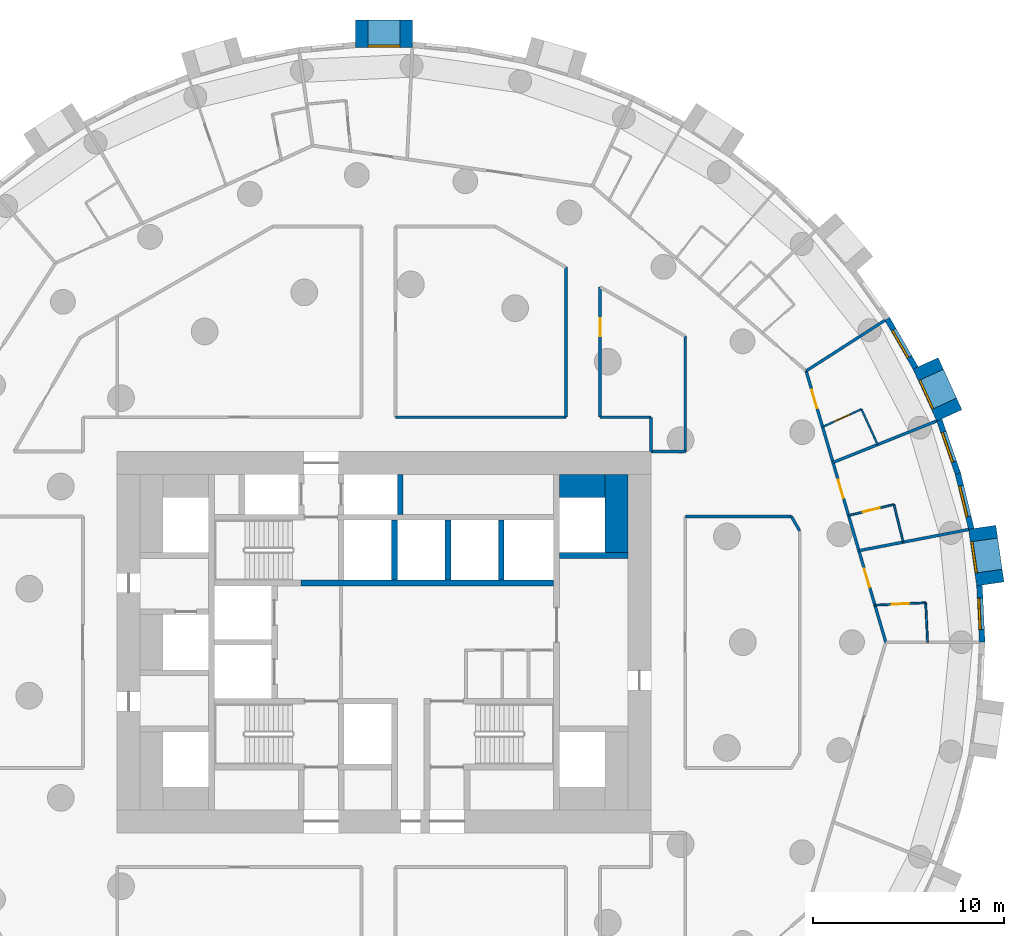
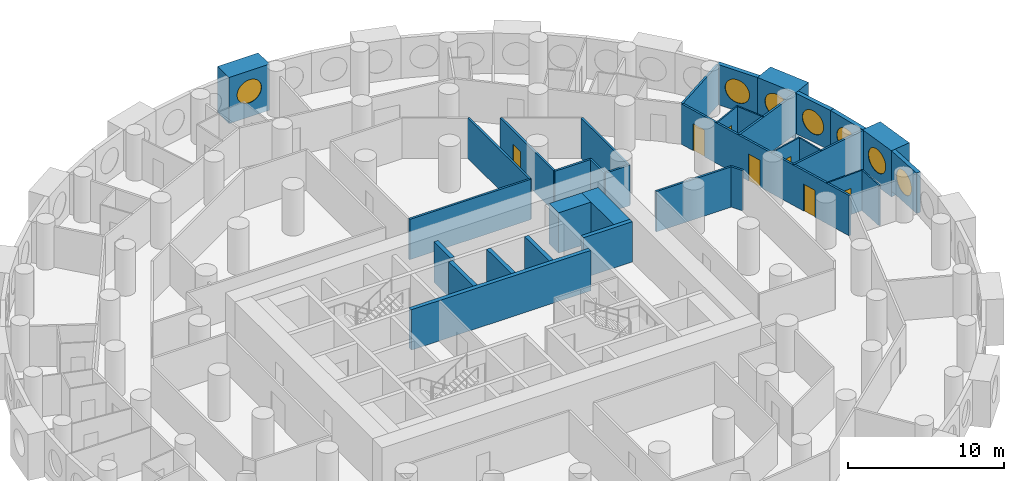
# One storey, part 9 of 12: 34 walls, 7 doors, 7 windows, 14 openings.
"""IFC4 building model written with IfcOpenShell, lengths in metres."""

from ifc_helpers import new_model, si_unit, direction, frame, frame_2d, origin, origin_2d, place, context, subcontext, project, spatial, rectangle, circle, extrude, material, layer, layer_set, type_object, element, fill, save


model = new_model("IFC4")

# Units and contexts
model_context = context("Model", 3, precision=1e-05, world=origin(), true_north=direction((0.0, 1.0)))
body_context = subcontext(model_context, "Body", "Model", "MODEL_VIEW")
ifc_project = project(units=[si_unit("LENGTHUNIT", "METRE"), si_unit("AREAUNIT", "SQUARE_METRE"), si_unit("VOLUMEUNIT", "CUBIC_METRE"), si_unit("PLANEANGLEUNIT", "RADIAN"), si_unit("MASSUNIT", "GRAM", prefix="KILO")], contexts=[model_context])

# Site, building, storey
site_placement = place(None, origin())
site = spatial("IfcSite", under=ifc_project, at=site_placement, CompositionType="ELEMENT")
building_placement = place(site_placement, origin())
building = spatial("IfcBuilding", under=site, at=building_placement, Name="Tracery Tower", CompositionType="ELEMENT")
storey_placement = place(building_placement, frame((0.0, 0.0, 111.0)))
storey = spatial("IfcBuildingStorey", under=building, at=storey_placement, Name="L28", CompositionType="ELEMENT", Elevation=111.0)

# Walls
ifc_material_1 = material(Name="Concrete C60/75", Category="concrete")
ifc_layer_1 = layer(ifc_material_1, 1.199951171875)
ifc_layer_set_1 = layer_set([ifc_layer_1], Name="Core strip wall 1200 C60")
wall_type_1 = type_object("IfcWallType", Name="Core strip wall 1200 C60", PredefinedType="SOLIDWALL", material=ifc_layer_set_1)
wall_1_placement = place(storey_placement, frame((12.199951171875, 4.699951171875, 0.0), z_axis=(0.0, 0.0, 1.0), x_axis=(0.0, 1.0, 0.0)))
element("IfcWall", 1, at=wall_1_placement, inside=storey, type_object=wall_type_1, Name="L28 wing strip +1 4.55", PredefinedType="SOLIDWALL", context=body_context, shape_type="SweptSolid", body=[
    extrude(rectangle(XDim=4.10009765625, YDim=1.199951171875, at=frame_2d((2.050048828125, 0.0))), origin(), (0.0, 0.0, 1.0), 3.14990234375),
])
wall_2_placement = place(storey_placement, frame((9.199951171875, 8.199951171875, 0.0), z_axis=(0.0, 0.0, 1.0), x_axis=(1.0, 0.0, 0.0)))
element("IfcWall", 2, at=wall_2_placement, inside=storey, type_object=wall_type_1, Name="L28 wing corner +1 +8.2", PredefinedType="SOLIDWALL", context=body_context, shape_type="SweptSolid", body=[
    extrude(rectangle(XDim=2.400146484375, YDim=1.199951171875, at=frame_2d((1.2001953125, 0.0))), origin(), (0.0, 0.0, 1.0), 3.14990234375),
])

# Wall, opening, window
ifc_material_2 = material(Name="Precast concrete C50/60", Category="concrete")
ifc_layer_2 = layer(ifc_material_2, 1.449951171875)
ifc_layer_set_2 = layer_set([ifc_layer_2], Name="Deep-set bay unit 3000 x 3600, slab edge 450")
wall_type_2 = type_object("IfcWallType", Name="Deep-set bay unit 3000 x 3600, slab edge 450", PredefinedType="ELEMENTEDWALL", material=ifc_layer_set_2)
wall_3_placement = place(storey_placement, frame((31.802490234375, 3.05712890625, -0.449951171875), z_axis=(0.0, 0.0, 1.0), x_axis=(-0.142332746704, 0.989818866872, 0.0)))
wall_3 = element("IfcWall", 3, at=wall_3_placement, inside=storey, type_object=wall_type_2, Name="Deep-set bay unit 2 at L28", PredefinedType="ELEMENTEDWALL", context=body_context, shape_type="SweptSolid", body=[
    extrude(rectangle(XDim=3.0, YDim=1.449951171875, at=frame_2d((1.5, 0.0))), origin(), (0.0, 0.0, 1.0), 3.599853515625),
])
opening_1_placement = place(wall_3_placement, frame((1.5, 0.0, 2.0)))
opening_1 = element("IfcOpeningElement", 4, at=opening_1_placement, cuts=wall_3, Name="Opening WN1", PredefinedType="OPENING", context=body_context, shape_type="SweptSolid", body=[
    extrude(circle(Radius=0.9000244140625, at=origin_2d()), frame((0.0, 0.73486328125, 0.0), z_axis=(0.0, -1.0, 0.0), x_axis=(1.0, 0.0, 0.0)), (0.0, 0.0, 1.0), 1.469970703125),
])
ifc_material_3 = material(Name="Aluminium frame with tinted double glazing", Category="aluminium")
window_type = type_object("IfcWindowType", Name="Round window 1800", PartitioningType="SINGLE_PANEL", PredefinedType="WINDOW", material=ifc_material_3)
window_1_placement = place(opening_1_placement, origin())
window_1 = element("IfcWindow", 5, at=window_1_placement, inside=storey, type_object=window_type, Name="Round window 2 at L28", OverallHeight=1.800048828125, OverallWidth=1.800048828125, PartitioningType="SINGLE_PANEL", PredefinedType="WINDOW", context=body_context, shape_type="SweptSolid", body=[
    extrude(circle(Radius=0.9000244140625, at=origin_2d()), frame((0.0, 0.69482421875, 0.0), z_axis=(0.0, -1.0, 0.0), x_axis=(1.0, 0.0, 0.0)), (0.0, 0.0, 1.0), 0.10009765625),
])
fill(opening_1, window_1)

wall_4_placement = place(storey_placement, frame((29.653076171875, 11.89306640625, -0.449951171875), z_axis=(0.0, 0.0, 1.0), x_axis=(-0.415427028395, 0.909626508012, 0.0)))
wall_4 = element("IfcWall", 6, at=wall_4_placement, inside=storey, type_object=wall_type_2, Name="Deep-set bay unit 5 at L28", PredefinedType="ELEMENTEDWALL", context=body_context, shape_type="SweptSolid", body=[
    extrude(rectangle(XDim=3.000244140625, YDim=1.449951171875, at=frame_2d((1.5, 0.0))), origin(), (0.0, 0.0, 1.0), 3.599853515625),
])
opening_2_placement = place(wall_4_placement, frame((1.5, 0.0, 2.0)))
opening_2 = element("IfcOpeningElement", 7, at=opening_2_placement, cuts=wall_4, Name="Opening WN1", PredefinedType="OPENING", context=body_context, shape_type="SweptSolid", body=[
    extrude(circle(Radius=0.9000244140625, at=origin_2d()), frame((0.0, 0.73486328125, 0.0), z_axis=(0.0, -1.0, 0.0), x_axis=(1.0, 0.0, 0.0)), (0.0, 0.0, 1.0), 1.469970703125),
])
window_2_placement = place(opening_2_placement, origin())
window_2 = element("IfcWindow", 8, at=window_2_placement, inside=storey, type_object=window_type, Name="Round window 5 at L28", OverallHeight=1.800048828125, OverallWidth=1.800048828125, PartitioningType="SINGLE_PANEL", PredefinedType="WINDOW", context=body_context, shape_type="SweptSolid", body=[
    extrude(circle(Radius=0.9000244140625, at=origin_2d()), frame((0.0, 0.69482421875, 0.0), z_axis=(0.0, -1.0, 0.0), x_axis=(1.0, 0.0, 0.0)), (0.0, 0.0, 1.0), 0.10009765625),
])
fill(opening_2, window_2)

wall_5_placement = place(storey_placement, frame((1.5, 31.913818359375, -0.449951171875), z_axis=(0.0, 0.0, 1.0), x_axis=(-1.0, 0.0, 0.0)))
wall_5 = element("IfcWall", 9, at=wall_5_placement, inside=storey, type_object=wall_type_2, Name="Deep-set bay unit 17 at L28", PredefinedType="ELEMENTEDWALL", context=body_context, shape_type="SweptSolid", body=[
    extrude(rectangle(XDim=3.0, YDim=1.449951171875, at=frame_2d((1.5, 0.0))), origin(), (0.0, 0.0, 1.0), 3.599853515625),
])
opening_3_placement = place(wall_5_placement, frame((1.5, 0.0, 2.0)))
opening_3 = element("IfcOpeningElement", 10, at=opening_3_placement, cuts=wall_5, Name="Opening WN1", PredefinedType="OPENING", context=body_context, shape_type="SweptSolid", body=[
    extrude(circle(Radius=0.9000244140625, at=origin_2d()), frame((0.0, 0.73486328125, 0.0), z_axis=(0.0, -1.0, 0.0), x_axis=(1.0, 0.0, 0.0)), (0.0, 0.0, 1.0), 1.469970703125),
])
window_3_placement = place(opening_3_placement, origin())
window_3 = element("IfcWindow", 11, at=window_3_placement, inside=storey, type_object=window_type, Name="Round window 17 at L28", OverallHeight=1.800048828125, OverallWidth=1.800048828125, PartitioningType="SINGLE_PANEL", PredefinedType="WINDOW", context=body_context, shape_type="SweptSolid", body=[
    extrude(circle(Radius=0.9000244140625, at=origin_2d()), frame((0.0, 0.69482421875, 0.0), z_axis=(0.0, -1.0, 0.0), x_axis=(1.0, 0.0, 0.0)), (0.0, 0.0, 1.0), 0.10009765625),
])
fill(opening_3, window_3)

ifc_material_4 = material(Name="Precast concrete C50/60", Category="concrete")
ifc_layer_3 = layer(ifc_material_4, 0.300048828125)
ifc_layer_set_3 = layer_set([ifc_layer_3], Name="Facade panel 3000 x 3150")
wall_type_3 = type_object("IfcWallType", Name="Facade panel 3000 x 3150", PredefinedType="SOLIDWALL", material=ifc_layer_set_3)
wall_6_placement = place(storey_placement, frame((31.37451171875, 0.0, 0.0), z_axis=(0.0, 0.0, 1.0), x_axis=(-0.047604077644, 0.998866283239, 0.0)))
wall_6 = element("IfcWall", 12, at=wall_6_placement, inside=storey, type_object=wall_type_3, Name="Facade panel 1 at L28", PredefinedType="SOLIDWALL", context=body_context, shape_type="SweptSolid", body=[
    extrude(rectangle(XDim=2.979736328125, YDim=0.300048828125, at=frame_2d((1.48974609375, 0.0))), origin(), (0.0, 0.0, 1.0), 3.14990234375),
])
opening_4_placement = place(wall_6_placement, frame((1.48974609375, 0.0, 1.5498046875)))
opening_4 = element("IfcOpeningElement", 13, at=opening_4_placement, cuts=wall_6, Name="Opening WN1", PredefinedType="OPENING", context=body_context, shape_type="SweptSolid", body=[
    extrude(circle(Radius=0.9000244140625, at=origin_2d()), frame((0.0, 0.159912109375, 0.0), z_axis=(0.0, -1.0, 0.0), x_axis=(1.0, 0.0, 0.0)), (0.0, 0.0, 1.0), 0.320068359375),
])
window_4_placement = place(opening_4_placement, origin())
window_4 = element("IfcWindow", 14, at=window_4_placement, inside=storey, type_object=window_type, Name="Round window 1 at L28", OverallHeight=1.800048828125, OverallWidth=1.800048828125, PartitioningType="SINGLE_PANEL", PredefinedType="WINDOW", context=body_context, shape_type="SweptSolid", body=[
    extrude(circle(Radius=0.9000244140625, at=origin_2d()), frame((0.0, 0.1201171875, 0.0), z_axis=(0.0, -1.0, 0.0), x_axis=(1.0, 0.0, 0.0)), (0.0, 0.0, 1.0), 0.10009765625),
])
fill(opening_4, window_4)

wall_7_placement = place(storey_placement, frame((30.805908203125, 5.943603515625, 0.0), z_axis=(0.0, 0.0, 1.0), x_axis=(-0.235743081534, 0.971815414319, 0.0)))
wall_7 = element("IfcWall", 15, at=wall_7_placement, inside=storey, type_object=wall_type_3, Name="Facade panel 3 at L28", PredefinedType="SOLIDWALL", context=body_context, shape_type="SweptSolid", body=[
    extrude(rectangle(XDim=2.9794921875, YDim=0.300048828125, at=frame_2d((1.48974609375, 0.0))), origin(), (0.0, 0.0, 1.0), 3.14990234375),
])
opening_5_placement = place(wall_7_placement, frame((1.48974609375, 0.0, 1.5498046875)))
opening_5 = element("IfcOpeningElement", 16, at=opening_5_placement, cuts=wall_7, Name="Opening WN1", PredefinedType="OPENING", context=body_context, shape_type="SweptSolid", body=[
    extrude(circle(Radius=0.9000244140625, at=origin_2d()), frame((0.0, 0.159912109375, 0.0), z_axis=(0.0, -1.0, 0.0), x_axis=(1.0, 0.0, 0.0)), (0.0, 0.0, 1.0), 0.320068359375),
])
window_5_placement = place(opening_5_placement, origin())
window_5 = element("IfcWindow", 17, at=window_5_placement, inside=storey, type_object=window_type, Name="Round window 3 at L28", OverallHeight=1.800048828125, OverallWidth=1.800048828125, PartitioningType="SINGLE_PANEL", PredefinedType="WINDOW", context=body_context, shape_type="SweptSolid", body=[
    extrude(circle(Radius=0.9000244140625, at=origin_2d()), frame((0.0, 0.1201171875, 0.0), z_axis=(0.0, -1.0, 0.0), x_axis=(1.0, 0.0, 0.0)), (0.0, 0.0, 1.0), 0.10009765625),
])
fill(opening_5, window_5)

wall_8_placement = place(storey_placement, frame((30.103515625, 8.839111328125, 0.0), z_axis=(0.0, 0.0, 1.0), x_axis=(-0.327071167136, 0.944999709856, 0.0)))
wall_8 = element("IfcWall", 18, at=wall_8_placement, inside=storey, type_object=wall_type_3, Name="Facade panel 4 at L28", PredefinedType="SOLIDWALL", context=body_context, shape_type="SweptSolid", body=[
    extrude(rectangle(XDim=2.979736328125, YDim=0.300048828125, at=frame_2d((1.48974609375, 0.0))), origin(), (0.0, 0.0, 1.0), 3.14990234375),
])
opening_6_placement = place(wall_8_placement, frame((1.48974609375, 0.0, 1.5498046875)))
opening_6 = element("IfcOpeningElement", 19, at=opening_6_placement, cuts=wall_8, Name="Opening WN1", PredefinedType="OPENING", context=body_context, shape_type="SweptSolid", body=[
    extrude(circle(Radius=0.9000244140625, at=origin_2d()), frame((0.0, 0.159912109375, 0.0), z_axis=(0.0, -1.0, 0.0), x_axis=(1.0, 0.0, 0.0)), (0.0, 0.0, 1.0), 0.320068359375),
])
window_6_placement = place(opening_6_placement, origin())
window_6 = element("IfcWindow", 20, at=window_6_placement, inside=storey, type_object=window_type, Name="Round window 4 at L28", OverallHeight=1.800048828125, OverallWidth=1.800048828125, PartitioningType="SINGLE_PANEL", PredefinedType="WINDOW", context=body_context, shape_type="SweptSolid", body=[
    extrude(circle(Radius=0.9000244140625, at=origin_2d()), frame((0.0, 0.1201171875, 0.0), z_axis=(0.0, -1.0, 0.0), x_axis=(1.0, 0.0, 0.0)), (0.0, 0.0, 1.0), 0.10009765625),
])
fill(opening_6, window_6)

wall_9_placement = place(storey_placement, frame((27.8837890625, 14.3818359375, 0.0), z_axis=(0.0, 0.0, 1.0), x_axis=(-0.500025049464, 0.866010940986, 0.0)))
wall_9 = element("IfcWall", 21, at=wall_9_placement, inside=storey, type_object=wall_type_3, Name="Facade panel 6 at L28", PredefinedType="SOLIDWALL", context=body_context, shape_type="SweptSolid", body=[
    extrude(rectangle(XDim=2.979736328125, YDim=0.300048828125, at=frame_2d((1.48974609375, 0.0))), origin(), (0.0, 0.0, 1.0), 3.14990234375),
])
opening_7_placement = place(wall_9_placement, frame((1.48974609375, 0.0, 1.5498046875)))
opening_7 = element("IfcOpeningElement", 22, at=opening_7_placement, cuts=wall_9, Name="Opening WN1", PredefinedType="OPENING", context=body_context, shape_type="SweptSolid", body=[
    extrude(circle(Radius=0.9000244140625, at=origin_2d()), frame((0.0, 0.159912109375, 0.0), z_axis=(0.0, -1.0, 0.0), x_axis=(1.0, 0.0, 0.0)), (0.0, 0.0, 1.0), 0.320068359375),
])
window_7_placement = place(opening_7_placement, origin())
window_7 = element("IfcWindow", 23, at=window_7_placement, inside=storey, type_object=window_type, Name="Round window 6 at L28", OverallHeight=1.800048828125, OverallWidth=1.800048828125, PartitioningType="SINGLE_PANEL", PredefinedType="WINDOW", context=body_context, shape_type="SweptSolid", body=[
    extrude(circle(Radius=0.9000244140625, at=origin_2d()), frame((0.0, 0.1201171875, 0.0), z_axis=(0.0, -1.0, 0.0), x_axis=(1.0, 0.0, 0.0)), (0.0, 0.0, 1.0), 0.10009765625),
])
fill(opening_7, window_7)

# Wall
ifc_material_5 = material(Name="Plasterboard on steel studs", Category="steel")
ifc_layer_4 = layer(ifc_material_5, 0.10009765625)
ifc_layer_set_4 = layer_set([ifc_layer_4], Name="Partition 100 wet wall")
wall_type_4 = type_object("IfcWallType", Name="Partition 100 wet wall", PredefinedType="PARTITIONING", material=ifc_layer_set_4)
wall_10_placement = place(storey_placement, frame((28.412109375, 2.069091796875, 0.0), z_axis=(0.0, 0.0, 1.0), x_axis=(0.047733138673, -0.998860124078, 0.0)))
element("IfcWall", 24, at=wall_10_placement, inside=storey, type_object=wall_type_4, Name="Wet wall RA8-060", PredefinedType="PARTITIONING", context=body_context, shape_type="SweptSolid", body=[
    extrude(rectangle(XDim=2.071533203125, YDim=0.10009765625, at=frame_2d((1.03564453125, 0.0))), origin(), (0.0, 0.0, 1.0), 3.14990234375),
])

# Wall, opening, door
wall_11_placement = place(storey_placement, frame((25.7490234375, 1.94189453125, 0.0), z_axis=(0.0, 0.0, 1.0), x_axis=(0.998861290624, 0.047708721344, 0.0)))
wall_11 = element("IfcWall", 25, at=wall_11_placement, inside=storey, type_object=wall_type_4, Name="Wet wall RA8-061", PredefinedType="PARTITIONING", context=body_context, shape_type="SweptSolid", body=[
    extrude(rectangle(XDim=2.666015625, YDim=0.10009765625, at=frame_2d((1.3330078125, 0.0))), origin(), (0.0, 0.0, 1.0), 3.14990234375),
])
opening_8_placement = place(wall_11_placement, frame((0.883056640625, 0.0, 0.0)))
opening_8 = element("IfcOpeningElement", 26, at=opening_8_placement, cuts=wall_11, Name="Opening RA8-10", PredefinedType="OPENING", context=body_context, shape_type="SweptSolid", body=[
    extrude(rectangle(XDim=0.89990234375, YDim=2.0400390625, at=frame_2d((0.449951171875, 1.02001953125))), frame((0.0, 0.050048828125, 0.0), z_axis=(0.0, -1.0, 0.0), x_axis=(1.0, 0.0, 0.0)), (0.0, 0.0, 1.0), 0.10009765625),
])
ifc_material_6 = material(Name="Timber door leaf", Category="wood")
door_type_1 = type_object("IfcDoorType", Name="Door en-suite 900", OperationType="NOTDEFINED", PredefinedType="DOOR", material=ifc_material_6)
door_1_placement = place(opening_8_placement, origin())
door_1 = element("IfcDoor", 27, at=door_1_placement, inside=storey, type_object=door_type_1, Name="En-suite door RA8-10", OperationType="SINGLE_SWING_LEFT", OverallHeight=2.0400390625, OverallWidth=0.89990234375, PredefinedType="DOOR", context=body_context, shape_type="SweptSolid", body=[
    extrude(rectangle(XDim=0.89990234375, YDim=2.0400390625, at=frame_2d((0.449951171875, 1.02001953125))), frame((0.0, 0.02490234375, 0.0), z_axis=(0.0, -1.0, 0.0), x_axis=(1.0, 0.0, 0.0)), (0.0, 0.0, 1.0), 0.050048828125),
])
fill(opening_8, door_1)

# Wall
wall_12_placement = place(storey_placement, frame((26.75, 7.22509765625, 0.0), z_axis=(0.0, 0.0, 1.0), x_axis=(0.23592286129, -0.97177178572, 0.0)))
element("IfcWall", 28, at=wall_12_placement, inside=storey, type_object=wall_type_4, Name="Wet wall RA8-064", PredefinedType="PARTITIONING", context=body_context, shape_type="SweptSolid", body=[
    extrude(rectangle(XDim=2.034423828125, YDim=0.10009765625, at=frame_2d((1.01708984375, 0.0))), origin(), (0.0, 0.0, 1.0), 3.14990234375),
])

# Wall, opening, door
wall_13_placement = place(storey_placement, frame((24.366943359375, 6.64599609375, 0.0), z_axis=(0.0, 0.0, 1.0), x_axis=(0.971720101056, 0.236135650006, 0.0)))
wall_13 = element("IfcWall", 29, at=wall_13_placement, inside=storey, type_object=wall_type_4, Name="Wet wall RA8-065", PredefinedType="PARTITIONING", context=body_context, shape_type="SweptSolid", body=[
    extrude(rectangle(XDim=2.452392578125, YDim=0.10009765625, at=frame_2d((1.22607421875, 0.0))), origin(), (0.0, 0.0, 1.0), 3.14990234375),
])
opening_9_placement = place(wall_13_placement, frame((0.7763671875, 0.0, 0.0)))
opening_9 = element("IfcOpeningElement", 30, at=opening_9_placement, cuts=wall_13, Name="Opening RA8-12", PredefinedType="OPENING", context=body_context, shape_type="SweptSolid", body=[
    extrude(rectangle(XDim=0.89990234375, YDim=2.0400390625, at=frame_2d((0.449951171875, 1.02001953125))), frame((0.0, 0.050048828125, 0.0), z_axis=(0.0, -1.0, 0.0), x_axis=(1.0, 0.0, 0.0)), (0.0, 0.0, 1.0), 0.10009765625),
])
door_2_placement = place(opening_9_placement, origin())
door_2 = element("IfcDoor", 31, at=door_2_placement, inside=storey, type_object=door_type_1, Name="En-suite door RA8-12", OperationType="SINGLE_SWING_LEFT", OverallHeight=2.0400390625, OverallWidth=0.89990234375, PredefinedType="DOOR", context=body_context, shape_type="SweptSolid", body=[
    extrude(rectangle(XDim=0.89990234375, YDim=2.0400390625, at=frame_2d((0.449951171875, 1.02001953125))), frame((0.0, 0.02490234375, 0.0), z_axis=(0.0, -1.0, 0.0), x_axis=(1.0, 0.0, 0.0)), (0.0, 0.0, 1.0), 0.050048828125),
])
fill(opening_9, door_2)

# Wall
wall_14_placement = place(storey_placement, frame((25.04296875, 12.221923828125, 0.0), z_axis=(0.0, 0.0, 1.0), x_axis=(0.41546015385, -0.909611378866, 0.0)))
element("IfcWall", 32, at=wall_14_placement, inside=storey, type_object=wall_type_4, Name="Wet wall RA8-067", PredefinedType="PARTITIONING", context=body_context, shape_type="SweptSolid", body=[
    extrude(rectangle(XDim=2.04150390625, YDim=0.10009765625, at=frame_2d((1.020751953125, 0.0))), origin(), (0.0, 0.0, 1.0), 3.14990234375),
])

# Wall, opening, door
wall_15_placement = place(storey_placement, frame((23.0029296875, 11.291015625, 0.0), z_axis=(0.0, 0.0, 1.0), x_axis=(0.90975773562, 0.41513956988, 0.0)))
wall_15 = element("IfcWall", 33, at=wall_15_placement, inside=storey, type_object=wall_type_4, Name="Wet wall RA8-068", PredefinedType="PARTITIONING", context=body_context, shape_type="SweptSolid", body=[
    extrude(rectangle(XDim=2.242431640625, YDim=0.10009765625, at=frame_2d((1.12109375, 0.0))), origin(), (0.0, 0.0, 1.0), 3.14990234375),
])
opening_10_placement = place(wall_15_placement, frame((0.67138671875, 0.0, 0.0)))
opening_10 = element("IfcOpeningElement", 34, at=opening_10_placement, cuts=wall_15, Name="Opening RA8-14", PredefinedType="OPENING", context=body_context, shape_type="SweptSolid", body=[
    extrude(rectangle(XDim=0.89990234375, YDim=2.0400390625, at=frame_2d((0.449951171875, 1.02001953125))), frame((0.0, 0.050048828125, 0.0), z_axis=(0.0, -1.0, 0.0), x_axis=(1.0, 0.0, 0.0)), (0.0, 0.0, 1.0), 0.10009765625),
])
door_3_placement = place(opening_10_placement, origin())
door_3 = element("IfcDoor", 35, at=door_3_placement, inside=storey, type_object=door_type_1, Name="En-suite door RA8-14", OperationType="SINGLE_SWING_LEFT", OverallHeight=2.0400390625, OverallWidth=0.89990234375, PredefinedType="DOOR", context=body_context, shape_type="SweptSolid", body=[
    extrude(rectangle(XDim=0.89990234375, YDim=2.0400390625, at=frame_2d((0.449951171875, 1.02001953125))), frame((0.0, 0.02490234375, 0.0), z_axis=(0.0, -1.0, 0.0), x_axis=(1.0, 0.0, 0.0)), (0.0, 0.0, 1.0), 0.050048828125),
])
fill(opening_10, door_3)

# Walls
ifc_material_7 = material(Name="Plasterboard on steel studs", Category="steel")
ifc_layer_5 = layer(ifc_material_7, 0.14990234375)
ifc_layer_set_5 = layer_set([ifc_layer_5], Name="Partition 150 acoustic unit wall")
wall_type_5 = type_object("IfcWallType", Name="Partition 150 acoustic unit wall", PredefinedType="PARTITIONING", material=ifc_layer_set_5)
wall_16_placement = place(storey_placement, frame((24.9091796875, 4.800048828125, 0.0), z_axis=(0.0, 0.0, 1.0), x_axis=(0.981912070464, 0.189337492, 0.0)))
element("IfcWall", 36, at=wall_16_placement, inside=storey, type_object=wall_type_5, Name="Unit wall RA8-062", PredefinedType="PARTITIONING", context=body_context, shape_type="SweptSolid", body=[
    extrude(rectangle(XDim=5.856689453125, YDim=0.14990234375, at=frame_2d((2.92822265625, 0.0))), origin(), (0.0, 0.0, 1.0), 3.14990234375),
])
wall_17_placement = place(storey_placement, frame((23.550048828125, 9.427978515625, 0.0), z_axis=(0.0, 0.0, 1.0), x_axis=(0.9283702981, 0.371656547911, 0.0)))
element("IfcWall", 37, at=wall_17_placement, inside=storey, type_object=wall_type_5, Name="Unit wall RA8-066", PredefinedType="PARTITIONING", context=body_context, shape_type="SweptSolid", body=[
    extrude(rectangle(XDim=5.857666015625, YDim=0.14990234375, at=frame_2d((2.9287109375, 0.0))), origin(), (0.0, 0.0, 1.0), 3.14990234375),
])
wall_18_placement = place(storey_placement, frame((22.14111328125, 14.22900390625, 0.0), z_axis=(0.0, 0.0, 1.0), x_axis=(0.841265781699, 0.540621757371, 0.0)))
element("IfcWall", 38, at=wall_18_placement, inside=storey, type_object=wall_type_5, Name="Unit wall RA8-069", PredefinedType="PARTITIONING", context=body_context, shape_type="SweptSolid", body=[
    extrude(rectangle(XDim=4.90576171875, YDim=0.14990234375, at=frame_2d((2.452880859375, 0.0))), origin(), (0.0, 0.0, 1.0), 3.14990234375),
])
ifc_material_8 = material(Name="Plasterboard on steel studs", Category="steel")
ifc_layer_6 = layer(ifc_material_8, 0.14990234375)
ifc_layer_set_6 = layer_set([ifc_layer_6], Name="Partition 150 corridor wall")
wall_type_6 = type_object("IfcWallType", Name="Partition 150 corridor wall", PredefinedType="PARTITIONING", material=ifc_layer_set_6)
wall_19_placement = place(storey_placement, frame((0.60400390625, 11.800048828125, 0.0), z_axis=(0.0, 0.0, 1.0), x_axis=(1.0, 0.0, 0.0)))
element("IfcWall", 39, at=wall_19_placement, inside=storey, type_object=wall_type_6, Name="Corridor wall RA8-002", PredefinedType="PARTITIONING", context=body_context, shape_type="SweptSolid", body=[
    extrude(rectangle(XDim=8.93603515625, YDim=0.14990234375, at=frame_2d((4.468017578125, 0.0))), origin(), (0.0, 0.0, 1.0), 3.14990234375),
])
wall_20_placement = place(storey_placement, frame((11.33203125, 11.800048828125, 0.0), z_axis=(0.0, 0.0, 1.0), x_axis=(1.0, 0.0, 0.0)))
element("IfcWall", 40, at=wall_20_placement, inside=storey, type_object=wall_type_6, Name="Corridor wall RA8-003", PredefinedType="PARTITIONING", context=body_context, shape_type="SweptSolid", body=[
    extrude(rectangle(XDim=2.66796875, YDim=0.14990234375, at=frame_2d((1.333984375, 0.0))), origin(), (0.0, 0.0, 1.0), 3.14990234375),
])
for number, where, z_axis, x_axis, name in (
    (41, (14.0, 10.0, 0.0), (0.0, 0.0, 1.0), (0.0, 1.0, 0.0), "Corridor wall RA8-004"),
    (42, (14.0, 10.0, 0.0), (0.0, 0.0, 1.0), (1.0, 0.0, 0.0), "Corridor wall RA8-010"),
):
    element("IfcWall", number, at=place(storey_placement, frame(where, z_axis=z_axis, x_axis=x_axis)), inside=storey, type_object=wall_type_6, Name=name, PredefinedType="PARTITIONING", context=body_context, shape_type="SweptSolid", body=[
        extrude(rectangle(XDim=1.800048828125, YDim=0.14990234375, at=frame_2d((0.89990234375, 0.0))), origin(), (0.0, 0.0, 1.0), 3.14990234375),
    ])
wall_21_placement = place(storey_placement, frame((15.800048828125, 9.99609375, 0.0), z_axis=(0.0, 0.0, 1.0), x_axis=(0.0, 1.0, 0.0)))
element("IfcWall", 43, at=wall_21_placement, inside=storey, type_object=wall_type_6, Name="Corridor wall RA8-014", PredefinedType="PARTITIONING", context=body_context, shape_type="SweptSolid", body=[
    extrude(rectangle(XDim=6.056884765625, YDim=0.14990234375, at=frame_2d((3.0283203125, 0.0))), origin(), (0.0, 0.0, 1.0), 3.14990234375),
])
wall_22_placement = place(storey_placement, frame((21.364013671875, 6.60009765625, 0.0), z_axis=(0.0, 0.0, 1.0), x_axis=(0.500277597875, -0.865865073245, 0.0)))
element("IfcWall", 44, at=wall_22_placement, inside=storey, type_object=wall_type_6, Name="Corridor wall RA8-019", PredefinedType="PARTITIONING", context=body_context, shape_type="SweptSolid", body=[
    extrude(rectangle(XDim=0.87548828125, YDim=0.14990234375, at=frame_2d((0.437744140625, 0.0))), origin(), (0.0, 0.0, 1.0), 3.14990234375),
])
wall_23_placement = place(storey_placement, frame((15.800048828125, 6.60009765625, 0.0), z_axis=(0.0, 0.0, 1.0), x_axis=(1.0, 0.0, 0.0)))
element("IfcWall", 45, at=wall_23_placement, inside=storey, type_object=wall_type_6, Name="Corridor wall RA8-020", PredefinedType="PARTITIONING", context=body_context, shape_type="SweptSolid", body=[
    extrude(rectangle(XDim=5.56396484375, YDim=0.14990234375, at=frame_2d((2.781982421875, 0.0))), origin(), (0.0, 0.0, 1.0), 3.14990234375),
])

# Wall, openings, doors
wall_24_placement = place(storey_placement, frame((22.140380859375, 14.228759765625, 0.0), z_axis=(0.0, 0.0, 1.0), x_axis=(0.281780364869, -0.959478934617, 0.0)))
wall_24 = element("IfcWall", 46, at=wall_24_placement, inside=storey, type_object=wall_type_6, Name="Corridor wall RA8-021", PredefinedType="PARTITIONING", context=body_context, shape_type="SweptSolid", body=[
    extrude(rectangle(XDim=14.82958984375, YDim=0.14990234375, at=frame_2d((7.414794921875, 0.0))), origin(), (0.0, 0.0, 1.0), 3.14990234375),
])
opening_11_placement = place(wall_24_placement, frame((10.81591796875, 0.0, 0.0)))
opening_11 = element("IfcOpeningElement", 47, at=opening_11_placement, cuts=wall_24, Name="Opening RA8-11", PredefinedType="OPENING", context=body_context, shape_type="SweptSolid", body=[
    extrude(rectangle(XDim=1.0, YDim=2.10009765625, at=frame_2d((0.5, 1.050048828125))), frame((0.0, 0.074951171875, 0.0), z_axis=(0.0, -1.0, 0.0), x_axis=(1.0, 0.0, 0.0)), (0.0, 0.0, 1.0), 0.14990234375),
])
opening_12_placement = place(wall_24_placement, frame((5.953369140625, 0.0, 0.0)))
opening_12 = element("IfcOpeningElement", 48, at=opening_12_placement, cuts=wall_24, Name="Opening RA8-13", PredefinedType="OPENING", context=body_context, shape_type="SweptSolid", body=[
    extrude(rectangle(XDim=1.0, YDim=2.10009765625, at=frame_2d((0.5, 1.050048828125))), frame((0.0, 0.074951171875, 0.0), z_axis=(0.0, -1.0, 0.0), x_axis=(1.0, 0.0, 0.0)), (0.0, 0.0, 1.0), 0.14990234375),
])
opening_13_placement = place(wall_24_placement, frame((1.032958984375, 0.0, 0.0)))
opening_13 = element("IfcOpeningElement", 49, at=opening_13_placement, cuts=wall_24, Name="Opening RA8-15", PredefinedType="OPENING", context=body_context, shape_type="SweptSolid", body=[
    extrude(rectangle(XDim=1.0, YDim=2.10009765625, at=frame_2d((0.5, 1.050048828125))), frame((0.0, 0.074951171875, 0.0), z_axis=(0.0, -1.0, 0.0), x_axis=(1.0, 0.0, 0.0)), (0.0, 0.0, 1.0), 0.14990234375),
])
ifc_material_9 = material(Name="Timber door leaf", Category="wood")
door_type_2 = type_object("IfcDoorType", Name="Door unit entrance 1000", OperationType="NOTDEFINED", PredefinedType="DOOR", material=ifc_material_9)
door_4_placement = place(opening_11_placement, origin())
door_4 = element("IfcDoor", 50, at=door_4_placement, inside=storey, type_object=door_type_2, Name="Unit entrance door RA8-11", OperationType="SINGLE_SWING_LEFT", OverallHeight=2.10009765625, OverallWidth=1.0, PredefinedType="DOOR", context=body_context, shape_type="SweptSolid", body=[
    extrude(rectangle(XDim=1.0, YDim=2.10009765625, at=frame_2d((0.5, 1.050048828125))), frame((0.0, 0.02490234375, 0.0), z_axis=(0.0, -1.0, 0.0), x_axis=(1.0, 0.0, 0.0)), (0.0, 0.0, 1.0), 0.050048828125),
])
fill(opening_11, door_4)
door_5_placement = place(opening_12_placement, origin())
door_5 = element("IfcDoor", 51, at=door_5_placement, inside=storey, type_object=door_type_2, Name="Unit entrance door RA8-13", OperationType="SINGLE_SWING_LEFT", OverallHeight=2.10009765625, OverallWidth=1.0, PredefinedType="DOOR", context=body_context, shape_type="SweptSolid", body=[
    extrude(rectangle(XDim=1.0, YDim=2.10009765625, at=frame_2d((0.5, 1.050048828125))), frame((0.0, 0.02490234375, 0.0), z_axis=(0.0, -1.0, 0.0), x_axis=(1.0, 0.0, 0.0)), (0.0, 0.0, 1.0), 0.050048828125),
])
fill(opening_12, door_5)
door_6_placement = place(opening_13_placement, origin())
door_6 = element("IfcDoor", 52, at=door_6_placement, inside=storey, type_object=door_type_2, Name="Unit entrance door RA8-15", OperationType="SINGLE_SWING_LEFT", OverallHeight=2.10009765625, OverallWidth=1.0, PredefinedType="DOOR", context=body_context, shape_type="SweptSolid", body=[
    extrude(rectangle(XDim=1.0, YDim=2.10009765625, at=frame_2d((0.5, 1.050048828125))), frame((0.0, 0.02490234375, 0.0), z_axis=(0.0, -1.0, 0.0), x_axis=(1.0, 0.0, 0.0)), (0.0, 0.0, 1.0), 0.050048828125),
])
fill(opening_13, door_6)

# Wall
wall_25_placement = place(storey_placement, frame((9.535888671875, 11.800048828125, 0.0), z_axis=(0.0, 0.0, 1.0), x_axis=(0.0, 1.0, 0.0)))
element("IfcWall", 53, at=wall_25_placement, inside=storey, type_object=wall_type_6, Name="Corridor wall RA8-028", PredefinedType="PARTITIONING", context=body_context, shape_type="SweptSolid", body=[
    extrude(rectangle(XDim=7.868896484375, YDim=0.14990234375, at=frame_2d((3.9345703125, 0.0))), origin(), (0.0, 0.0, 1.0), 3.14990234375),
])

# Wall, opening, door
wall_26_placement = place(storey_placement, frame((11.3359375, 11.800048828125, 0.0), z_axis=(0.0, 0.0, 1.0), x_axis=(0.0, 1.0, 0.0)))
wall_26 = element("IfcWall", 54, at=wall_26_placement, inside=storey, type_object=wall_type_6, Name="Corridor wall RA8-033", PredefinedType="PARTITIONING", context=body_context, shape_type="SweptSolid", body=[
    extrude(rectangle(XDim=6.829833984375, YDim=0.14990234375, at=frame_2d((3.4150390625, 0.0))), origin(), (0.0, 0.0, 1.0), 3.14990234375),
])
opening_14_placement = place(wall_26_placement, frame((4.239990234375, 0.0, 0.0)))
opening_14 = element("IfcOpeningElement", 55, at=opening_14_placement, cuts=wall_26, Name="Opening RA8-03", PredefinedType="OPENING", context=body_context, shape_type="SweptSolid", body=[
    extrude(rectangle(XDim=0.949951171875, YDim=2.10009765625, at=frame_2d((0.47509765625, 1.050048828125))), frame((0.0, 0.074951171875, 0.0), z_axis=(0.0, -1.0, 0.0), x_axis=(1.0, 0.0, 0.0)), (0.0, 0.0, 1.0), 0.14990234375),
])
ifc_material_10 = material(Name="Timber door leaf", Category="wood")
door_type_3 = type_object("IfcDoorType", Name="Door store 950", OperationType="NOTDEFINED", PredefinedType="DOOR", material=ifc_material_10)
door_7_placement = place(opening_14_placement, origin())
door_7 = element("IfcDoor", 56, at=door_7_placement, inside=storey, type_object=door_type_3, Name="Store door RA8-03", OperationType="SINGLE_SWING_LEFT", OverallHeight=2.10009765625, OverallWidth=0.949951171875, PredefinedType="DOOR", context=body_context, shape_type="SweptSolid", body=[
    extrude(rectangle(XDim=0.949951171875, YDim=2.10009765625, at=frame_2d((0.47509765625, 1.050048828125))), frame((0.0, 0.02490234375, 0.0), z_axis=(0.0, -1.0, 0.0), x_axis=(1.0, 0.0, 0.0)), (0.0, 0.0, 1.0), 0.050048828125),
])
fill(opening_14, door_7)

# Walls
ifc_material_11 = material(Name="Concrete C60/75", Category="concrete")
ifc_layer_7 = layer(ifc_material_11, 0.300048828125)
ifc_layer_set_7 = layer_set([ifc_layer_7], Name="Shaft wall 300 C60")
wall_type_7 = type_object("IfcWallType", Name="Shaft wall 300 C60", PredefinedType="SOLIDWALL", material=ifc_layer_set_7)
for number, where, z_axis, x_axis, name in (
    (57, (0.550048828125, 3.25, 0.0), (0.0, 0.0, 1.0), (0.0, 1.0, 0.0), "L28 HR sep 1"),
    (58, (3.35009765625, 3.25, 0.0), (0.0, 0.0, 1.0), (0.0, 1.0, 0.0), "L28 HR sep 2"),
    (59, (6.14990234375, 3.25, 0.0), (0.0, 0.0, 1.0), (0.0, 1.0, 0.0), "L28 HR sep 3"),
):
    element("IfcWall", number, at=place(storey_placement, frame(where, z_axis=z_axis, x_axis=x_axis)), inside=storey, type_object=wall_type_7, Name=name, PredefinedType="SOLIDWALL", context=body_context, shape_type="SweptSolid", body=[
        extrude(rectangle(XDim=3.14990234375, YDim=0.300048828125, at=frame_2d((1.574951171875, 0.0))), origin(), (0.0, 0.0, 1.0), 3.14990234375),
    ])
wall_27_placement = place(storey_placement, frame((0.85009765625, 6.699951171875, 0.0), z_axis=(0.0, 0.0, 1.0), x_axis=(0.0, 1.0, 0.0)))
element("IfcWall", 60, at=wall_27_placement, inside=storey, type_object=wall_type_7, Name="L28 LR sep 0.85", PredefinedType="SOLIDWALL", context=body_context, shape_type="SweptSolid", body=[
    extrude(rectangle(XDim=2.10009765625, YDim=0.300048828125, at=frame_2d((1.050048828125, 0.0))), origin(), (0.0, 0.0, 1.0), 3.14990234375),
])
wall_28_placement = place(storey_placement, frame((9.199951171875, 4.550048828125, 0.0), z_axis=(0.0, 0.0, 1.0), x_axis=(1.0, 0.0, 0.0)))
element("IfcWall", 61, at=wall_28_placement, inside=storey, type_object=wall_type_7, Name="L28 wing shaft wall +1 +4.55", PredefinedType="SOLIDWALL", context=body_context, shape_type="SweptSolid", body=[
    extrude(rectangle(XDim=3.60009765625, YDim=0.300048828125, at=frame_2d((1.800048828125, 0.0))), origin(), (0.0, 0.0, 1.0), 3.14990234375),
])
ifc_material_12 = material(Name="Concrete C60/75", Category="concrete")
ifc_layer_8 = layer(ifc_material_12, 0.300048828125)
ifc_layer_set_8 = layer_set([ifc_layer_8], Name="Stair wall 300 C60")
wall_type_8 = type_object("IfcWallType", Name="Stair wall 300 C60", PredefinedType="SOLIDWALL", material=ifc_layer_set_8)
wall_29_placement = place(storey_placement, frame((-4.35009765625, 3.10009765625, 0.0), z_axis=(0.0, 0.0, 1.0), x_axis=(1.0, 0.0, 0.0)))
element("IfcWall", 62, at=wall_29_placement, inside=storey, type_object=wall_type_8, Name="L28 row N", PredefinedType="SOLIDWALL", context=body_context, shape_type="SweptSolid", body=[
    extrude(rectangle(XDim=13.25, YDim=0.300048828125, at=frame_2d((6.625, 0.0))), origin(), (0.0, 0.0, 1.0), 3.14990234375),
])

save(model, "model.ifc")
